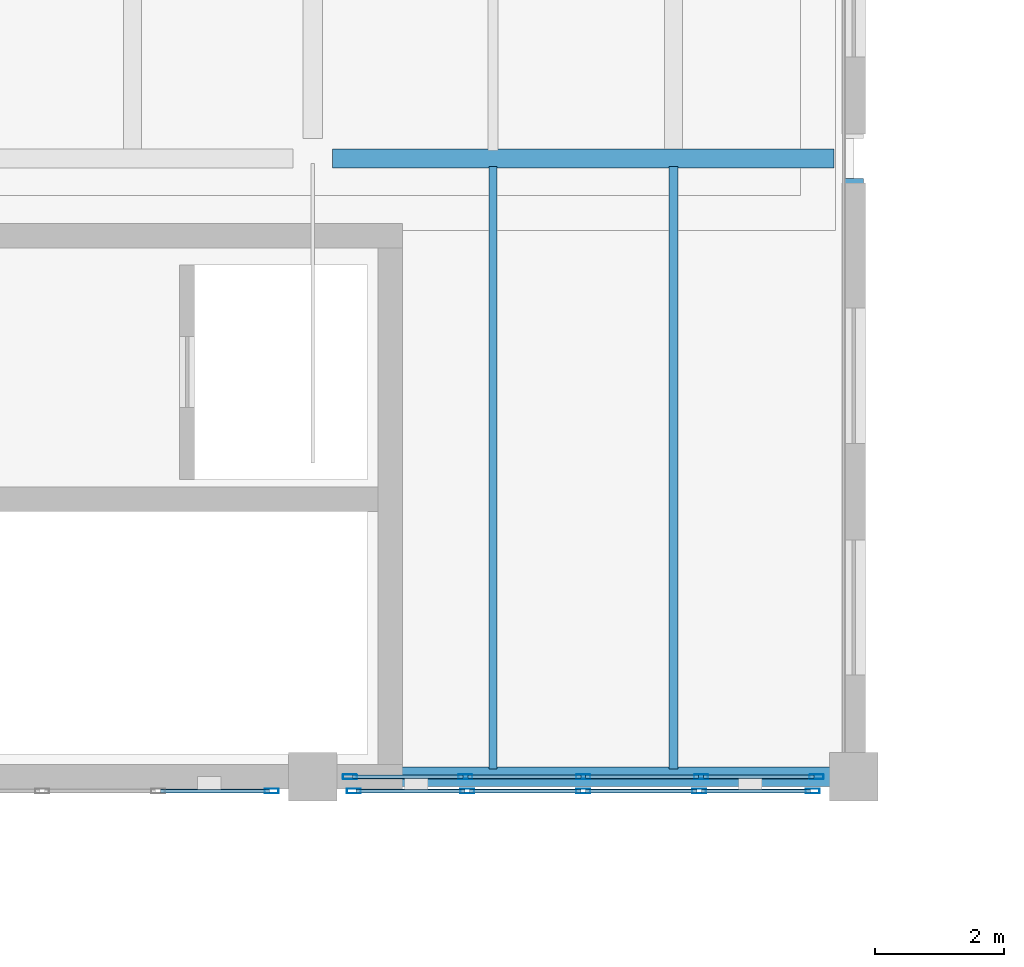
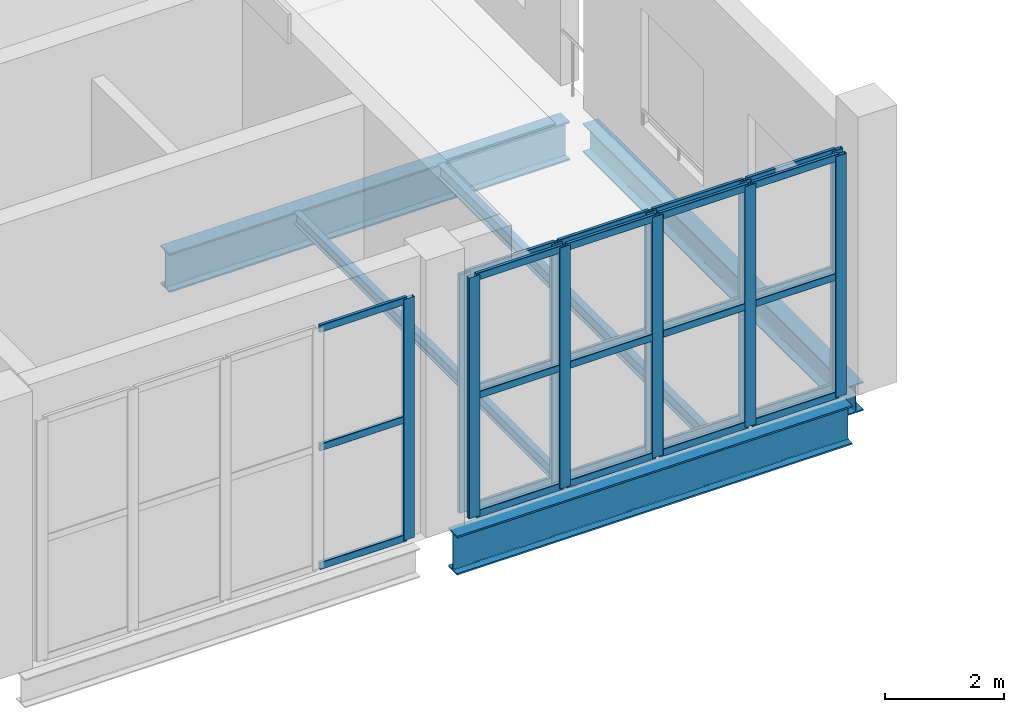
# One storey, part 16 of 49: 38 members, 5 beams, 3 elements without a shape of their own.
"""IFC4 building model written with IfcOpenShell, lengths in metres."""

import ifcopenshell
import ifcopenshell.guid

model = None  # the IFC model being written
_history = None  # IfcOwnerHistory: only IFC2X3 demands one
_inside = {}  # id of a spatial element -> (the spatial element, [elements in it])
_under = {}  # id of a project, library or spatial element -> (it, [spatial elements below it])
_declared = {}  # id of a project -> (the project, [libraries it declares])
_typed = {}  # id of a type object -> (the type object, [elements of that type])
_made_of = {}  # id of a material, layer set ... -> (it, [elements and type objects made of it])


def new_model(schema):
    """Start an empty IFC model of exactly this schema.

    Asked for "IFC4X3", IfcOpenShell would pick the latest addendum, in which some entities
    have other attributes; the version numbers below select the first issue.
    IFC2X3 requires an IfcOwnerHistory on every rooted entity: one is made here for all.
    """
    global model, _history
    if schema == "IFC4X3":
        model = ifcopenshell.file(schema_version=(4, 3, 0, 0))
    else:
        model = ifcopenshell.file(schema=schema)
    _inside.clear()
    _under.clear()
    _declared.clear()
    _typed.clear()
    _made_of.clear()
    _history = None
    if model.schema == "IFC2X3":
        org = make("IfcOrganization", Name="unknown")
        user = make(
            "IfcPersonAndOrganization",
            ThePerson=make("IfcPerson", FamilyName="unknown"),
            TheOrganization=org,
        )
        app = make(
            "IfcApplication",
            ApplicationDeveloper=org,
            Version="unknown",
            ApplicationFullName="unknown",
            ApplicationIdentifier="unknown",
        )
        _history = make(
            "IfcOwnerHistory",
            OwningUser=user,
            OwningApplication=app,
            ChangeAction="ADDED",
            CreationDate=0,
        )
    return model


def make(cls, **values):
    """One entity of the class cls with the attributes given. An attribute that is None is left unset."""
    return model.create_entity(
        cls, **{name: value for name, value in values.items() if value is not None}
    )


def rooted(cls, **values):
    """An entity with a GlobalId (a new one), such as an element, a storey or a relation."""
    return make(cls, GlobalId=ifcopenshell.guid.new(), OwnerHistory=_history, **values)


def si_unit(unit_type, name, prefix=None):
    """IfcSIUnit, for example si_unit("LENGTHUNIT", "METRE", prefix="MILLI")."""
    return make("IfcSIUnit", UnitType=unit_type, Prefix=prefix, Name=name)


def assignment(units):
    """IfcUnitAssignment: the units of a project."""
    return None if units is None else make("IfcUnitAssignment", Units=units)


def point(xyz):
    """IfcCartesianPoint."""
    return None if xyz is None else make("IfcCartesianPoint", Coordinates=xyz)


def direction(xyz):
    """IfcDirection."""
    return None if xyz is None else make("IfcDirection", DirectionRatios=xyz)


def frame(location, z_axis=None, x_axis=None):
    """IfcAxis2Placement3D, a coordinate frame: its origin and axes. An axis left out is left unset."""
    return make(
        "IfcAxis2Placement3D",
        Location=point(location),
        Axis=direction(z_axis),
        RefDirection=direction(x_axis),
    )


def frame_2d(location, x_axis=None):
    """IfcAxis2Placement2D, a coordinate frame in the plane: its origin and x axis."""
    return make(
        "IfcAxis2Placement2D", Location=point(location), RefDirection=direction(x_axis)
    )


def origin():
    """The frame at (0, 0, 0) with its axes left unset."""
    return frame((0.0, 0.0, 0.0))


def origin_2d():
    """The frame at (0, 0) in the plane with its x axis left unset."""
    return frame_2d((0.0, 0.0))


def place(relative_to, where):
    """IfcLocalPlacement: puts the frame where relative to a parent placement (None: the world)."""
    return make(
        "IfcLocalPlacement", PlacementRelTo=relative_to, RelativePlacement=where
    )


def context(
    kind, dimensions, precision=None, world=None, true_north=None, identifier=None
):
    """IfcGeometricRepresentationContext, for example the 3D "Model" context."""
    return make(
        "IfcGeometricRepresentationContext",
        ContextIdentifier=identifier,
        ContextType=kind,
        CoordinateSpaceDimension=dimensions,
        Precision=precision,
        WorldCoordinateSystem=world,
        TrueNorth=true_north,
    )


def subcontext(parent, identifier, kind, view, scale=None):
    """IfcGeometricRepresentationSubContext, for example "Body" below "Model"."""
    return make(
        "IfcGeometricRepresentationSubContext",
        ContextIdentifier=identifier,
        ContextType=kind,
        ParentContext=parent,
        TargetScale=scale,
        TargetView=view,
    )


def project(units=None, contexts=None):
    """IfcProject with its units and contexts."""
    return rooted(
        "IfcProject",
        Name="project",
        RepresentationContexts=contexts,
        UnitsInContext=assignment(units),
    )


def spatial(cls, under=None, at=None, **own):
    """A site, building, storey or space (cls), placed at a placement, below another one or the project."""
    s = rooted(cls, ObjectPlacement=at, **own)
    if under is not None:
        _under.setdefault(under.id(), (under, []))[1].append(s)
    return s


def profile(cls, at=None, kind="AREA", **sizes):
    """A parametric profile (cls). Its sizes go by their IFC names, for example OverallWidth=200.0."""
    return make(cls, ProfileType=kind, Position=at, **sizes)


def hollow_rectangle(**sizes):
    """IfcRectangleHollowProfileDef."""
    return profile("IfcRectangleHollowProfileDef", **sizes)


def i_section(**sizes):
    """IfcIShapeProfileDef."""
    return profile("IfcIShapeProfileDef", **sizes)


def extrude(swept, where, along, depth):
    """IfcExtrudedAreaSolid: the profile swept, set in the frame where, extruded along a direction by depth."""
    return make(
        "IfcExtrudedAreaSolid",
        SweptArea=swept,
        Position=where,
        ExtrudedDirection=direction(along),
        Depth=depth,
    )


def shape(context_of_items, identifier, shape_type, items):
    """IfcShapeRepresentation: the items that make up one representation, for example the "Body"."""
    return make(
        "IfcShapeRepresentation",
        ContextOfItems=context_of_items,
        RepresentationIdentifier=identifier,
        RepresentationType=shape_type,
        Items=items,
    )


def material(Name=None, Category=None):
    """IfcMaterial."""
    return make("IfcMaterial", Name=Name, Category=Category)


def layer(
    of_material, thickness, ventilated=None, Name=None, Category=None, Priority=None
):
    """IfcMaterialLayer: one layer of a wall or slab, of a material (None: an air gap)."""
    return make(
        "IfcMaterialLayer",
        Material=of_material,
        LayerThickness=thickness,
        IsVentilated=ventilated,
        Name=Name,
        Category=Category,
        Priority=Priority,
    )


def layer_set(layers, Name=None):
    """IfcMaterialLayerSet."""
    return make("IfcMaterialLayerSet", MaterialLayers=layers, LayerSetName=Name)


def material_profile(
    of_material, cross_section, Name=None, Category=None, Priority=None
):
    """IfcMaterialProfile: a cross section and its material."""
    return make(
        "IfcMaterialProfile",
        Name=Name,
        Material=of_material,
        Profile=cross_section,
        Priority=Priority,
        Category=Category,
    )


def profile_set(profiles, Name=None, composite=None):
    """IfcMaterialProfileSet."""
    return make(
        "IfcMaterialProfileSet",
        Name=Name,
        MaterialProfiles=profiles,
        CompositeProfile=composite,
    )


def made_of(thing, what):
    """Note that an element or type object is made of a material, layer set ...; save() writes the relation."""
    if what is not None:
        _made_of.setdefault(what.id(), (what, []))[1].append(thing)
    return thing


def type_object(cls, material=None, **own):
    """A type object (cls), such as IfcWallType, which elements share."""
    return made_of(rooted(cls, **own), material)


def element(
    cls,
    number,
    at=None,
    inside=None,
    cuts=None,
    type_object=None,
    material=None,
    context=None,
    identifier="Body",
    shape_type=None,
    held_by="IfcProductDefinitionShape",
    body=None,
    shapes=None,
    **own,
):
    """One element of the class cls, such as IfcWall. Its Tag is "e" and its number.

    at: its placement. inside: the storey or other place that contains it. cuts: it is an
    opening in that element (IfcRelVoidsElement). A single representation is given by context,
    identifier, shape_type and body (its items); several are given by shapes. held_by: the class
    of the entity that holds the representations. save() writes the other relations.
    """
    e = rooted(cls, Tag="e%d" % number, ObjectPlacement=at, **own)
    if body is not None:
        shapes = [shape(context, identifier, shape_type, body)]
    if shapes is not None:
        e.Representation = make(held_by, Representations=shapes)
    if inside is not None:
        _inside.setdefault(inside.id(), (inside, []))[1].append(e)
    if cuts is not None:
        rooted(
            "IfcRelVoidsElement", RelatingBuildingElement=cuts, RelatedOpeningElement=e
        )
    if type_object is not None:
        _typed.setdefault(type_object.id(), (type_object, []))[1].append(e)
    return made_of(e, material)


def aggregate(whole, parts):
    """IfcRelAggregates: a whole, such as a stair, and the parts it consists of."""
    return rooted("IfcRelAggregates", RelatingObject=whole, RelatedObjects=parts)


def save(model, path):
    """Write the relations noted so far, then the file.

    IfcRelAggregates (storeys below a building ...), IfcRelContainedInSpatialStructure (elements
    in a storey), IfcRelDefinesByType, IfcRelAssociatesMaterial and IfcRelDeclares: one each for
    every whole, place, type object, material and project.
    """
    for whole, parts in _under.values():
        aggregate(whole, parts)
    for where, things in _inside.values():
        rooted(
            "IfcRelContainedInSpatialStructure",
            RelatedElements=things,
            RelatingStructure=where,
        )
    for kind, things in _typed.values():
        rooted("IfcRelDefinesByType", RelatedObjects=things, RelatingType=kind)
    for what, things in _made_of.values():
        rooted("IfcRelAssociatesMaterial", RelatedObjects=things, RelatingMaterial=what)
    for by, libraries in _declared.values():
        rooted("IfcRelDeclares", RelatingContext=by, RelatedDefinitions=libraries)
    model.write(path)


model = new_model("IFC4")

# Units and contexts
model_context = context("Model", 3, precision=1e-05, world=origin(), true_north=direction((0.0, 1.0)))
body_context = subcontext(model_context, "Body", "Model", "MODEL_VIEW")
ifc_project = project(units=[si_unit("LENGTHUNIT", "METRE"), si_unit("AREAUNIT", "SQUARE_METRE"), si_unit("VOLUMEUNIT", "CUBIC_METRE"), si_unit("PLANEANGLEUNIT", "RADIAN"), si_unit("MASSUNIT", "GRAM", prefix="KILO")], contexts=[model_context])

# Site, building, storey
site_placement = place(None, origin())
site = spatial("IfcSite", under=ifc_project, at=site_placement, CompositionType="ELEMENT")
building_placement = place(site_placement, origin())
building = spatial("IfcBuilding", under=site, at=building_placement, Name="Zulmaris Art Gallery", CompositionType="ELEMENT")
storey_placement = place(building_placement, frame((0.0, 0.0, 20.699951171875)))
storey = spatial("IfcBuildingStorey", under=building, at=storey_placement, Name="L04", CompositionType="ELEMENT", Elevation=20.699951171875)

# Beams
ifc_material_1 = material(Name="Steel S355J2", Category="steel")
ifc_material_profile_1 = material_profile(ifc_material_1, i_section(OverallWidth=0.300048828125, OverallDepth=0.590087890625, WebThickness=0.012939453125, FlangeThickness=0.02490234375, FilletRadius=0.027099609375, at=origin_2d()), Name="HEA 600")
ifc_profile_set_1 = profile_set([ifc_material_profile_1], Name="Steel S355J2")
beam_type_1 = type_object("IfcBeamType", Name="BEAM-BM12", PredefinedType="BEAM", material=ifc_profile_set_1)
beam_1_placement = place(storey_placement, frame((82.800048828125, 21.9599609375, -0.655029296875), z_axis=(0.0, 1.0, 0.0), x_axis=(-1.0, 0.0, 0.0)))
element("IfcBeam", 1, at=beam_1_placement, inside=storey, type_object=beam_type_1, Name="L04 Y-girder (x=82.8, 21.6..31.2)", PredefinedType="BEAM", context=body_context, shape_type="SweptSolid", body=[
    extrude(i_section(OverallWidth=0.300048828125, OverallDepth=0.590087890625, WebThickness=0.012939453125, FlangeThickness=0.02490234375, FilletRadius=0.027099609375, at=origin_2d()), origin(), (0.0, 0.0, 1.0), 8.929931640625),
])
ifc_material_profile_2 = material_profile(ifc_material_1, i_section(OverallWidth=0.300048828125, OverallDepth=0.800048828125, WebThickness=0.017578125, FlangeThickness=0.032958984375, FilletRadius=0.030029296875, at=origin_2d()), Name="HEB 800")
ifc_profile_set_2 = profile_set([ifc_material_profile_2], Name="Steel S355J2")
beam_type_2 = type_object("IfcBeamType", Name="BEAM-BM17", PredefinedType="BEAM", material=ifc_profile_set_2)
beam_2_placement = place(storey_placement, frame((74.760009765625, 21.60009765625, -0.760009765625), z_axis=(1.0, 0.0, 0.0), x_axis=(0.0, 1.0, 0.0)))
element("IfcBeam", 2, at=beam_2_placement, inside=storey, type_object=beam_type_2, Name="L04 X-girder (74.4..82.8, y=21.6)", PredefinedType="BEAM", context=body_context, shape_type="SweptSolid", body=[
    extrude(i_section(OverallWidth=0.300048828125, OverallDepth=0.800048828125, WebThickness=0.017578125, FlangeThickness=0.032958984375, FilletRadius=0.030029296875, at=origin_2d()), origin(), (0.0, 0.0, 1.0), 7.679931640625),
])
beam_3_placement = place(storey_placement, frame((74.7099609375, 31.199951171875, -0.760009765625), z_axis=(1.0, 0.0, 0.0), x_axis=(0.0, 1.0, 0.0)))
element("IfcBeam", 3, at=beam_3_placement, inside=storey, type_object=beam_type_2, Name="L04 X-girder (74.4..82.8, y=31.2)", PredefinedType="BEAM", context=body_context, shape_type="SweptSolid", body=[
    extrude(i_section(OverallWidth=0.300048828125, OverallDepth=0.800048828125, WebThickness=0.017578125, FlangeThickness=0.032958984375, FilletRadius=0.030029296875, at=origin_2d()), origin(), (0.0, 0.0, 1.0), 7.780029296875),
])
ifc_material_profile_3 = material_profile(ifc_material_1, i_section(OverallWidth=0.1201171875, OverallDepth=0.239990234375, WebThickness=0.006103515625, FlangeThickness=0.009765625, FilletRadius=0.014892578125, at=origin_2d()), Name="IPE 240")
ifc_profile_set_3 = profile_set([ifc_material_profile_3], Name="Steel S355J2")
beam_type_3 = type_object("IfcBeamType", Name="BEAM-JS01", PredefinedType="JOIST", material=ifc_profile_set_3)
beam_4_placement = place(storey_placement, frame((77.199951171875, 21.72509765625, -0.47998046875), z_axis=(0.0, 1.0, 0.0), x_axis=(-1.0, 0.0, 0.0)))
element("IfcBeam", 4, at=beam_4_placement, inside=storey, type_object=beam_type_3, Name="L04 secondary joist at x=77.2", PredefinedType="JOIST", context=body_context, shape_type="SweptSolid", body=[
    extrude(i_section(OverallWidth=0.1201171875, OverallDepth=0.239990234375, WebThickness=0.006103515625, FlangeThickness=0.009765625, FilletRadius=0.014892578125, at=origin_2d()), origin(), (0.0, 0.0, 1.0), 9.349853515625),
])
ifc_material_profile_4 = material_profile(ifc_material_1, i_section(OverallWidth=0.135009765625, OverallDepth=0.27001953125, WebThickness=0.006591796875, FlangeThickness=0.01025390625, FilletRadius=0.014892578125, at=origin_2d()), Name="IPE 270")
ifc_profile_set_4 = profile_set([ifc_material_profile_4], Name="Steel S355J2")
beam_type_4 = type_object("IfcBeamType", Name="BEAM-JS02", PredefinedType="JOIST", material=ifc_profile_set_4)
beam_5_placement = place(storey_placement, frame((80.0, 21.72509765625, -0.494873046875), z_axis=(0.0, 1.0, 0.0), x_axis=(-1.0, 0.0, 0.0)))
element("IfcBeam", 5, at=beam_5_placement, inside=storey, type_object=beam_type_4, Name="L04 secondary joist at x=80.0", PredefinedType="JOIST", context=body_context, shape_type="SweptSolid", body=[
    extrude(i_section(OverallWidth=0.135009765625, OverallDepth=0.27001953125, WebThickness=0.006591796875, FlangeThickness=0.01025390625, FilletRadius=0.014892578125, at=origin_2d()), origin(), (0.0, 0.0, 1.0), 9.349853515625),
])

# Curtain wall, members
ifc_material_2 = material(Name="Unitised Low-E Gallery Curtain Wall", Category="aluminium")
ifc_layer_1 = layer(ifc_material_2, 0.179931640625)
ifc_layer_set_1 = layer_set([ifc_layer_1], Name="Unitised Low-E Gallery Curtain Wall")
curtain_wall_type_1 = type_object("IfcCurtainWallType", Name="CW-CW01", PredefinedType="NOTDEFINED", material=ifc_layer_set_1)
curtain_wall_1_placement = place(storey_placement, origin())
curtain_wall_1 = element("IfcCurtainWall", 6, at=curtain_wall_1_placement, inside=storey, type_object=curtain_wall_type_1, Name="L04 curtain wall 33", PredefinedType="NOTDEFINED")
ifc_material_3 = material(Name="Anodised Bronze Aluminium", Category="aluminium")
ifc_material_profile_5 = material_profile(ifc_material_3, hollow_rectangle(XDim=0.074951171875, YDim=0.219970703125, WallThickness=0.0048828125, InnerFilletRadius=0.007568359375, OuterFilletRadius=0.012451171875, at=origin_2d()), Name="ALU 75x220x5")
ifc_profile_set_5 = profile_set([ifc_material_profile_5], Name="Anodised Bronze Aluminium")
member_type_1 = type_object("IfcMemberType", Name="CWMUL-02", PredefinedType="MULLION", material=ifc_profile_set_5)
member_1_placement = place(storey_placement, frame((74.9775390625, 21.60009765625, 0.0), z_axis=(0.0, 0.0, 1.0), x_axis=(0.0, 1.0, 0.0)))
member_1 = element("IfcMember", 7, at=member_1_placement, type_object=member_type_1, Name="CW01 mullion 1", PredefinedType="MULLION", context=body_context, shape_type="SweptSolid", body=[
    extrude(hollow_rectangle(XDim=0.074951171875, YDim=0.219970703125, WallThickness=0.0048828125, InnerFilletRadius=0.007568359375, OuterFilletRadius=0.012451171875, at=origin_2d()), origin(), (0.0, 0.0, 1.0), 4.900146484375),
])
member_2_placement = place(storey_placement, frame((76.77001953125, 21.60009765625, 0.0), z_axis=(0.0, 0.0, 1.0), x_axis=(0.0, 1.0, 0.0)))
member_2 = element("IfcMember", 8, at=member_2_placement, type_object=member_type_1, Name="CW01 mullion 2", PredefinedType="MULLION", context=body_context, shape_type="SweptSolid", body=[
    extrude(hollow_rectangle(XDim=0.074951171875, YDim=0.219970703125, WallThickness=0.0048828125, InnerFilletRadius=0.007568359375, OuterFilletRadius=0.012451171875, at=origin_2d()), origin(), (0.0, 0.0, 1.0), 4.900146484375),
])
member_3_placement = place(storey_placement, frame((78.60009765625, 21.60009765625, 0.0), z_axis=(0.0, 0.0, 1.0), x_axis=(0.0, 1.0, 0.0)))
member_3 = element("IfcMember", 9, at=member_3_placement, type_object=member_type_1, Name="CW01 mullion 3", PredefinedType="MULLION", context=body_context, shape_type="SweptSolid", body=[
    extrude(hollow_rectangle(XDim=0.074951171875, YDim=0.219970703125, WallThickness=0.0048828125, InnerFilletRadius=0.007568359375, OuterFilletRadius=0.012451171875, at=origin_2d()), origin(), (0.0, 0.0, 1.0), 4.900146484375),
])
member_4_placement = place(storey_placement, frame((80.429931640625, 21.60009765625, 0.0), z_axis=(0.0, 0.0, 1.0), x_axis=(0.0, 1.0, 0.0)))
member_4 = element("IfcMember", 10, at=member_4_placement, type_object=member_type_1, Name="CW01 mullion 4", PredefinedType="MULLION", context=body_context, shape_type="SweptSolid", body=[
    extrude(hollow_rectangle(XDim=0.074951171875, YDim=0.219970703125, WallThickness=0.0048828125, InnerFilletRadius=0.007568359375, OuterFilletRadius=0.012451171875, at=origin_2d()), origin(), (0.0, 0.0, 1.0), 4.900146484375),
])
member_5_placement = place(storey_placement, frame((82.222412109375, 21.60009765625, 0.0), z_axis=(0.0, 0.0, 1.0), x_axis=(0.0, 1.0, 0.0)))
member_5 = element("IfcMember", 11, at=member_5_placement, type_object=member_type_1, Name="CW01 mullion 5", PredefinedType="MULLION", context=body_context, shape_type="SweptSolid", body=[
    extrude(hollow_rectangle(XDim=0.074951171875, YDim=0.219970703125, WallThickness=0.0048828125, InnerFilletRadius=0.007568359375, OuterFilletRadius=0.012451171875, at=origin_2d()), origin(), (0.0, 0.0, 1.0), 4.900146484375),
])

# Curtain wall, member
ifc_material_4 = material(Name="Perforated Bronze Art Deco Mashrabiya Screen", Category="aluminium")
ifc_layer_2 = layer(ifc_material_4, 0.179931640625)
ifc_layer_set_2 = layer_set([ifc_layer_2], Name="Perforated Bronze Art Deco Mashrabiya Screen")
curtain_wall_type_2 = type_object("IfcCurtainWallType", Name="CW-CW06", PredefinedType="USERDEFINED", material=ifc_layer_set_2)
curtain_wall_2_placement = place(storey_placement, origin())
curtain_wall_2 = element("IfcCurtainWall", 12, at=curtain_wall_2_placement, inside=storey, type_object=curtain_wall_type_2, Name="L04 Mashrabiya screen 183", ObjectType="MASHRABIYA SCREEN", PredefinedType="USERDEFINED")
member_6_placement = place(storey_placement, frame((73.762451171875, 21.3798828125, 0.0), z_axis=(0.0, 0.0, 1.0), x_axis=(0.0, 1.0, 0.0)))
member_6 = element("IfcMember", 13, at=member_6_placement, type_object=member_type_1, Name="CW06 mullion 5", PredefinedType="MULLION", context=body_context, shape_type="SweptSolid", body=[
    extrude(hollow_rectangle(XDim=0.074951171875, YDim=0.219970703125, WallThickness=0.0048828125, InnerFilletRadius=0.007568359375, OuterFilletRadius=0.012451171875, at=origin_2d()), origin(), (0.0, 0.0, 1.0), 4.949951171875),
])

# Curtain wall, members
curtain_wall_3_placement = place(storey_placement, origin())
curtain_wall_3 = element("IfcCurtainWall", 14, at=curtain_wall_3_placement, inside=storey, type_object=curtain_wall_type_2, Name="L04 Mashrabiya screen 184", ObjectType="MASHRABIYA SCREEN", PredefinedType="USERDEFINED")
member_7_placement = place(storey_placement, frame((75.03759765625, 21.3798828125, 0.0), z_axis=(0.0, 0.0, 1.0), x_axis=(0.0, 1.0, 0.0)))
member_7 = element("IfcMember", 15, at=member_7_placement, type_object=member_type_1, Name="CW06 mullion 1", PredefinedType="MULLION", context=body_context, shape_type="SweptSolid", body=[
    extrude(hollow_rectangle(XDim=0.074951171875, YDim=0.219970703125, WallThickness=0.0048828125, InnerFilletRadius=0.007568359375, OuterFilletRadius=0.012451171875, at=origin_2d()), origin(), (0.0, 0.0, 1.0), 4.949951171875),
])
member_8_placement = place(storey_placement, frame((76.800048828125, 21.3798828125, 0.0), z_axis=(0.0, 0.0, 1.0), x_axis=(0.0, 1.0, 0.0)))
member_8 = element("IfcMember", 16, at=member_8_placement, type_object=member_type_1, Name="CW06 mullion 2", PredefinedType="MULLION", context=body_context, shape_type="SweptSolid", body=[
    extrude(hollow_rectangle(XDim=0.074951171875, YDim=0.219970703125, WallThickness=0.0048828125, InnerFilletRadius=0.007568359375, OuterFilletRadius=0.012451171875, at=origin_2d()), origin(), (0.0, 0.0, 1.0), 4.949951171875),
])
member_9_placement = place(storey_placement, frame((78.60009765625, 21.3798828125, 0.0), z_axis=(0.0, 0.0, 1.0), x_axis=(0.0, 1.0, 0.0)))
member_9 = element("IfcMember", 17, at=member_9_placement, type_object=member_type_1, Name="CW06 mullion 3", PredefinedType="MULLION", context=body_context, shape_type="SweptSolid", body=[
    extrude(hollow_rectangle(XDim=0.074951171875, YDim=0.219970703125, WallThickness=0.0048828125, InnerFilletRadius=0.007568359375, OuterFilletRadius=0.012451171875, at=origin_2d()), origin(), (0.0, 0.0, 1.0), 4.949951171875),
])
member_10_placement = place(storey_placement, frame((80.39990234375, 21.3798828125, 0.0), z_axis=(0.0, 0.0, 1.0), x_axis=(0.0, 1.0, 0.0)))
member_10 = element("IfcMember", 18, at=member_10_placement, type_object=member_type_1, Name="CW06 mullion 4", PredefinedType="MULLION", context=body_context, shape_type="SweptSolid", body=[
    extrude(hollow_rectangle(XDim=0.074951171875, YDim=0.219970703125, WallThickness=0.0048828125, InnerFilletRadius=0.007568359375, OuterFilletRadius=0.012451171875, at=origin_2d()), origin(), (0.0, 0.0, 1.0), 4.949951171875),
])
member_11_placement = place(storey_placement, frame((82.16259765625, 21.3798828125, 0.0), z_axis=(0.0, 0.0, 1.0), x_axis=(0.0, 1.0, 0.0)))
member_11 = element("IfcMember", 19, at=member_11_placement, type_object=member_type_1, Name="CW06 mullion 5", PredefinedType="MULLION", context=body_context, shape_type="SweptSolid", body=[
    extrude(hollow_rectangle(XDim=0.074951171875, YDim=0.219970703125, WallThickness=0.0048828125, InnerFilletRadius=0.007568359375, OuterFilletRadius=0.012451171875, at=origin_2d()), origin(), (0.0, 0.0, 1.0), 4.949951171875),
])

# Member
ifc_material_profile_6 = material_profile(ifc_material_3, hollow_rectangle(XDim=0.06494140625, YDim=0.14990234375, WallThickness=0.00390625, InnerFilletRadius=0.006103515625, OuterFilletRadius=0.010009765625, at=origin_2d()), Name="ALU 65x150x4")
ifc_profile_set_6 = profile_set([ifc_material_profile_6], Name="Anodised Bronze Aluminium")
member_type_2 = type_object("IfcMemberType", Name="CWTRN-01", PredefinedType="USERDEFINED", material=ifc_profile_set_6)
member_12_placement = place(storey_placement, frame((75.014892578125, 21.60009765625, 0.03759765625), z_axis=(1.0, 0.0, 0.0), x_axis=(0.0, 1.0, 0.0)))
member_12 = element("IfcMember", 20, at=member_12_placement, type_object=member_type_2, Name="CW01 transom 1.1", ObjectType="TRANSOM", PredefinedType="USERDEFINED", context=body_context, shape_type="SweptSolid", body=[
    extrude(hollow_rectangle(XDim=0.06494140625, YDim=0.14990234375, WallThickness=0.00390625, InnerFilletRadius=0.006103515625, OuterFilletRadius=0.010009765625, at=origin_2d()), origin(), (0.0, 0.0, 1.0), 1.717529296875),
])

member_13_placement = place(storey_placement, frame((75.014892578125, 21.60009765625, 2.449951171875), z_axis=(1.0, 0.0, 0.0), x_axis=(0.0, 1.0, 0.0)))
member_13 = element("IfcMember", 21, at=member_13_placement, type_object=member_type_2, Name="CW01 transom 1.2", ObjectType="TRANSOM", PredefinedType="USERDEFINED", context=body_context, shape_type="SweptSolid", body=[
    extrude(hollow_rectangle(XDim=0.06494140625, YDim=0.14990234375, WallThickness=0.00390625, InnerFilletRadius=0.006103515625, OuterFilletRadius=0.010009765625, at=origin_2d()), origin(), (0.0, 0.0, 1.0), 1.717529296875),
])

member_14_placement = place(storey_placement, frame((75.014892578125, 21.60009765625, 4.862548828125), z_axis=(1.0, 0.0, 0.0), x_axis=(0.0, 1.0, 0.0)))
member_14 = element("IfcMember", 22, at=member_14_placement, type_object=member_type_2, Name="CW01 transom 1.3", ObjectType="TRANSOM", PredefinedType="USERDEFINED", context=body_context, shape_type="SweptSolid", body=[
    extrude(hollow_rectangle(XDim=0.06494140625, YDim=0.14990234375, WallThickness=0.00390625, InnerFilletRadius=0.006103515625, OuterFilletRadius=0.010009765625, at=origin_2d()), origin(), (0.0, 0.0, 1.0), 1.717529296875),
])

member_15_placement = place(storey_placement, frame((76.8076171875, 21.60009765625, 0.03759765625), z_axis=(1.0, 0.0, 0.0), x_axis=(0.0, 1.0, 0.0)))
member_15 = element("IfcMember", 23, at=member_15_placement, type_object=member_type_2, Name="CW01 transom 2.1", ObjectType="TRANSOM", PredefinedType="USERDEFINED", context=body_context, shape_type="SweptSolid", body=[
    extrude(hollow_rectangle(XDim=0.06494140625, YDim=0.14990234375, WallThickness=0.00390625, InnerFilletRadius=0.006103515625, OuterFilletRadius=0.010009765625, at=origin_2d()), origin(), (0.0, 0.0, 1.0), 1.7548828125),
])

member_16_placement = place(storey_placement, frame((76.8076171875, 21.60009765625, 2.449951171875), z_axis=(1.0, 0.0, 0.0), x_axis=(0.0, 1.0, 0.0)))
member_16 = element("IfcMember", 24, at=member_16_placement, type_object=member_type_2, Name="CW01 transom 2.2", ObjectType="TRANSOM", PredefinedType="USERDEFINED", context=body_context, shape_type="SweptSolid", body=[
    extrude(hollow_rectangle(XDim=0.06494140625, YDim=0.14990234375, WallThickness=0.00390625, InnerFilletRadius=0.006103515625, OuterFilletRadius=0.010009765625, at=origin_2d()), origin(), (0.0, 0.0, 1.0), 1.7548828125),
])

member_17_placement = place(storey_placement, frame((76.8076171875, 21.60009765625, 4.862548828125), z_axis=(1.0, 0.0, 0.0), x_axis=(0.0, 1.0, 0.0)))
member_17 = element("IfcMember", 25, at=member_17_placement, type_object=member_type_2, Name="CW01 transom 2.3", ObjectType="TRANSOM", PredefinedType="USERDEFINED", context=body_context, shape_type="SweptSolid", body=[
    extrude(hollow_rectangle(XDim=0.06494140625, YDim=0.14990234375, WallThickness=0.00390625, InnerFilletRadius=0.006103515625, OuterFilletRadius=0.010009765625, at=origin_2d()), origin(), (0.0, 0.0, 1.0), 1.7548828125),
])

member_18_placement = place(storey_placement, frame((78.637451171875, 21.60009765625, 0.03759765625), z_axis=(1.0, 0.0, 0.0), x_axis=(0.0, 1.0, 0.0)))
member_18 = element("IfcMember", 26, at=member_18_placement, type_object=member_type_2, Name="CW01 transom 3.1", ObjectType="TRANSOM", PredefinedType="USERDEFINED", context=body_context, shape_type="SweptSolid", body=[
    extrude(hollow_rectangle(XDim=0.06494140625, YDim=0.14990234375, WallThickness=0.00390625, InnerFilletRadius=0.006103515625, OuterFilletRadius=0.010009765625, at=origin_2d()), origin(), (0.0, 0.0, 1.0), 1.755126953125),
])

member_19_placement = place(storey_placement, frame((78.637451171875, 21.60009765625, 2.449951171875), z_axis=(1.0, 0.0, 0.0), x_axis=(0.0, 1.0, 0.0)))
member_19 = element("IfcMember", 27, at=member_19_placement, type_object=member_type_2, Name="CW01 transom 3.2", ObjectType="TRANSOM", PredefinedType="USERDEFINED", context=body_context, shape_type="SweptSolid", body=[
    extrude(hollow_rectangle(XDim=0.06494140625, YDim=0.14990234375, WallThickness=0.00390625, InnerFilletRadius=0.006103515625, OuterFilletRadius=0.010009765625, at=origin_2d()), origin(), (0.0, 0.0, 1.0), 1.755126953125),
])

member_20_placement = place(storey_placement, frame((78.637451171875, 21.60009765625, 4.862548828125), z_axis=(1.0, 0.0, 0.0), x_axis=(0.0, 1.0, 0.0)))
member_20 = element("IfcMember", 28, at=member_20_placement, type_object=member_type_2, Name="CW01 transom 3.3", ObjectType="TRANSOM", PredefinedType="USERDEFINED", context=body_context, shape_type="SweptSolid", body=[
    extrude(hollow_rectangle(XDim=0.06494140625, YDim=0.14990234375, WallThickness=0.00390625, InnerFilletRadius=0.006103515625, OuterFilletRadius=0.010009765625, at=origin_2d()), origin(), (0.0, 0.0, 1.0), 1.755126953125),
])

member_21_placement = place(storey_placement, frame((80.467529296875, 21.60009765625, 0.03759765625), z_axis=(1.0, 0.0, 0.0), x_axis=(0.0, 1.0, 0.0)))
member_21 = element("IfcMember", 29, at=member_21_placement, type_object=member_type_2, Name="CW01 transom 4.1", ObjectType="TRANSOM", PredefinedType="USERDEFINED", context=body_context, shape_type="SweptSolid", body=[
    extrude(hollow_rectangle(XDim=0.06494140625, YDim=0.14990234375, WallThickness=0.00390625, InnerFilletRadius=0.006103515625, OuterFilletRadius=0.010009765625, at=origin_2d()), origin(), (0.0, 0.0, 1.0), 1.717529296875),
])

member_22_placement = place(storey_placement, frame((80.467529296875, 21.60009765625, 2.449951171875), z_axis=(1.0, 0.0, 0.0), x_axis=(0.0, 1.0, 0.0)))
member_22 = element("IfcMember", 30, at=member_22_placement, type_object=member_type_2, Name="CW01 transom 4.2", ObjectType="TRANSOM", PredefinedType="USERDEFINED", context=body_context, shape_type="SweptSolid", body=[
    extrude(hollow_rectangle(XDim=0.06494140625, YDim=0.14990234375, WallThickness=0.00390625, InnerFilletRadius=0.006103515625, OuterFilletRadius=0.010009765625, at=origin_2d()), origin(), (0.0, 0.0, 1.0), 1.717529296875),
])

member_23_placement = place(storey_placement, frame((80.467529296875, 21.60009765625, 4.862548828125), z_axis=(1.0, 0.0, 0.0), x_axis=(0.0, 1.0, 0.0)))
member_23 = element("IfcMember", 31, at=member_23_placement, type_object=member_type_2, Name="CW01 transom 4.3", ObjectType="TRANSOM", PredefinedType="USERDEFINED", context=body_context, shape_type="SweptSolid", body=[
    extrude(hollow_rectangle(XDim=0.06494140625, YDim=0.14990234375, WallThickness=0.00390625, InnerFilletRadius=0.006103515625, OuterFilletRadius=0.010009765625, at=origin_2d()), origin(), (0.0, 0.0, 1.0), 1.717529296875),
])

aggregate(curtain_wall_1, [member_1, member_2, member_3, member_4, member_5, member_12, member_13, member_14, member_15, member_16, member_17, member_18, member_19, member_20, member_21, member_22, member_23])

member_24_placement = place(storey_placement, frame((72.03759765625, 21.3798828125, 0.03759765625), z_axis=(1.0, 0.0, 0.0), x_axis=(0.0, 1.0, 0.0)))
member_24 = element("IfcMember", 32, at=member_24_placement, type_object=member_type_2, Name="CW06 transom 4.1", ObjectType="TRANSOM", PredefinedType="USERDEFINED", context=body_context, shape_type="SweptSolid", body=[
    extrude(hollow_rectangle(XDim=0.06494140625, YDim=0.14990234375, WallThickness=0.00390625, InnerFilletRadius=0.006103515625, OuterFilletRadius=0.010009765625, at=origin_2d()), origin(), (0.0, 0.0, 1.0), 1.6875),
])

member_25_placement = place(storey_placement, frame((72.03759765625, 21.3798828125, 2.47509765625), z_axis=(1.0, 0.0, 0.0), x_axis=(0.0, 1.0, 0.0)))
member_25 = element("IfcMember", 33, at=member_25_placement, type_object=member_type_2, Name="CW06 transom 4.2", ObjectType="TRANSOM", PredefinedType="USERDEFINED", context=body_context, shape_type="SweptSolid", body=[
    extrude(hollow_rectangle(XDim=0.06494140625, YDim=0.14990234375, WallThickness=0.00390625, InnerFilletRadius=0.006103515625, OuterFilletRadius=0.010009765625, at=origin_2d()), origin(), (0.0, 0.0, 1.0), 1.6875),
])

member_26_placement = place(storey_placement, frame((72.03759765625, 21.3798828125, 4.91259765625), z_axis=(1.0, 0.0, 0.0), x_axis=(0.0, 1.0, 0.0)))
member_26 = element("IfcMember", 34, at=member_26_placement, type_object=member_type_2, Name="CW06 transom 4.3", ObjectType="TRANSOM", PredefinedType="USERDEFINED", context=body_context, shape_type="SweptSolid", body=[
    extrude(hollow_rectangle(XDim=0.06494140625, YDim=0.14990234375, WallThickness=0.00390625, InnerFilletRadius=0.006103515625, OuterFilletRadius=0.010009765625, at=origin_2d()), origin(), (0.0, 0.0, 1.0), 1.6875),
])

aggregate(curtain_wall_2, [member_6, member_24, member_25, member_26])

member_27_placement = place(storey_placement, frame((75.074951171875, 21.3798828125, 0.03759765625), z_axis=(1.0, 0.0, 0.0), x_axis=(0.0, 1.0, 0.0)))
member_27 = element("IfcMember", 35, at=member_27_placement, type_object=member_type_2, Name="CW06 transom 1.1", ObjectType="TRANSOM", PredefinedType="USERDEFINED", context=body_context, shape_type="SweptSolid", body=[
    extrude(hollow_rectangle(XDim=0.06494140625, YDim=0.14990234375, WallThickness=0.00390625, InnerFilletRadius=0.006103515625, OuterFilletRadius=0.010009765625, at=origin_2d()), origin(), (0.0, 0.0, 1.0), 1.6875),
])

member_28_placement = place(storey_placement, frame((75.074951171875, 21.3798828125, 2.47509765625), z_axis=(1.0, 0.0, 0.0), x_axis=(0.0, 1.0, 0.0)))
member_28 = element("IfcMember", 36, at=member_28_placement, type_object=member_type_2, Name="CW06 transom 1.2", ObjectType="TRANSOM", PredefinedType="USERDEFINED", context=body_context, shape_type="SweptSolid", body=[
    extrude(hollow_rectangle(XDim=0.06494140625, YDim=0.14990234375, WallThickness=0.00390625, InnerFilletRadius=0.006103515625, OuterFilletRadius=0.010009765625, at=origin_2d()), origin(), (0.0, 0.0, 1.0), 1.6875),
])

member_29_placement = place(storey_placement, frame((75.074951171875, 21.3798828125, 4.91259765625), z_axis=(1.0, 0.0, 0.0), x_axis=(0.0, 1.0, 0.0)))
member_29 = element("IfcMember", 37, at=member_29_placement, type_object=member_type_2, Name="CW06 transom 1.3", ObjectType="TRANSOM", PredefinedType="USERDEFINED", context=body_context, shape_type="SweptSolid", body=[
    extrude(hollow_rectangle(XDim=0.06494140625, YDim=0.14990234375, WallThickness=0.00390625, InnerFilletRadius=0.006103515625, OuterFilletRadius=0.010009765625, at=origin_2d()), origin(), (0.0, 0.0, 1.0), 1.6875),
])

member_30_placement = place(storey_placement, frame((76.83740234375, 21.3798828125, 0.03759765625), z_axis=(1.0, 0.0, 0.0), x_axis=(0.0, 1.0, 0.0)))
member_30 = element("IfcMember", 38, at=member_30_placement, type_object=member_type_2, Name="CW06 transom 2.1", ObjectType="TRANSOM", PredefinedType="USERDEFINED", context=body_context, shape_type="SweptSolid", body=[
    extrude(hollow_rectangle(XDim=0.06494140625, YDim=0.14990234375, WallThickness=0.00390625, InnerFilletRadius=0.006103515625, OuterFilletRadius=0.010009765625, at=origin_2d()), origin(), (0.0, 0.0, 1.0), 1.72509765625),
])

member_31_placement = place(storey_placement, frame((76.83740234375, 21.3798828125, 2.47509765625), z_axis=(1.0, 0.0, 0.0), x_axis=(0.0, 1.0, 0.0)))
member_31 = element("IfcMember", 39, at=member_31_placement, type_object=member_type_2, Name="CW06 transom 2.2", ObjectType="TRANSOM", PredefinedType="USERDEFINED", context=body_context, shape_type="SweptSolid", body=[
    extrude(hollow_rectangle(XDim=0.06494140625, YDim=0.14990234375, WallThickness=0.00390625, InnerFilletRadius=0.006103515625, OuterFilletRadius=0.010009765625, at=origin_2d()), origin(), (0.0, 0.0, 1.0), 1.72509765625),
])

member_32_placement = place(storey_placement, frame((76.83740234375, 21.3798828125, 4.91259765625), z_axis=(1.0, 0.0, 0.0), x_axis=(0.0, 1.0, 0.0)))
member_32 = element("IfcMember", 40, at=member_32_placement, type_object=member_type_2, Name="CW06 transom 2.3", ObjectType="TRANSOM", PredefinedType="USERDEFINED", context=body_context, shape_type="SweptSolid", body=[
    extrude(hollow_rectangle(XDim=0.06494140625, YDim=0.14990234375, WallThickness=0.00390625, InnerFilletRadius=0.006103515625, OuterFilletRadius=0.010009765625, at=origin_2d()), origin(), (0.0, 0.0, 1.0), 1.72509765625),
])

member_33_placement = place(storey_placement, frame((78.637451171875, 21.3798828125, 0.03759765625), z_axis=(1.0, 0.0, 0.0), x_axis=(0.0, 1.0, 0.0)))
member_33 = element("IfcMember", 41, at=member_33_placement, type_object=member_type_2, Name="CW06 transom 3.1", ObjectType="TRANSOM", PredefinedType="USERDEFINED", context=body_context, shape_type="SweptSolid", body=[
    extrude(hollow_rectangle(XDim=0.06494140625, YDim=0.14990234375, WallThickness=0.00390625, InnerFilletRadius=0.006103515625, OuterFilletRadius=0.010009765625, at=origin_2d()), origin(), (0.0, 0.0, 1.0), 1.72509765625),
])

member_34_placement = place(storey_placement, frame((78.637451171875, 21.3798828125, 2.47509765625), z_axis=(1.0, 0.0, 0.0), x_axis=(0.0, 1.0, 0.0)))
member_34 = element("IfcMember", 42, at=member_34_placement, type_object=member_type_2, Name="CW06 transom 3.2", ObjectType="TRANSOM", PredefinedType="USERDEFINED", context=body_context, shape_type="SweptSolid", body=[
    extrude(hollow_rectangle(XDim=0.06494140625, YDim=0.14990234375, WallThickness=0.00390625, InnerFilletRadius=0.006103515625, OuterFilletRadius=0.010009765625, at=origin_2d()), origin(), (0.0, 0.0, 1.0), 1.72509765625),
])

member_35_placement = place(storey_placement, frame((78.637451171875, 21.3798828125, 4.91259765625), z_axis=(1.0, 0.0, 0.0), x_axis=(0.0, 1.0, 0.0)))
member_35 = element("IfcMember", 43, at=member_35_placement, type_object=member_type_2, Name="CW06 transom 3.3", ObjectType="TRANSOM", PredefinedType="USERDEFINED", context=body_context, shape_type="SweptSolid", body=[
    extrude(hollow_rectangle(XDim=0.06494140625, YDim=0.14990234375, WallThickness=0.00390625, InnerFilletRadius=0.006103515625, OuterFilletRadius=0.010009765625, at=origin_2d()), origin(), (0.0, 0.0, 1.0), 1.72509765625),
])

member_36_placement = place(storey_placement, frame((80.4375, 21.3798828125, 0.03759765625), z_axis=(1.0, 0.0, 0.0), x_axis=(0.0, 1.0, 0.0)))
member_36 = element("IfcMember", 44, at=member_36_placement, type_object=member_type_2, Name="CW06 transom 4.1", ObjectType="TRANSOM", PredefinedType="USERDEFINED", context=body_context, shape_type="SweptSolid", body=[
    extrude(hollow_rectangle(XDim=0.06494140625, YDim=0.14990234375, WallThickness=0.00390625, InnerFilletRadius=0.006103515625, OuterFilletRadius=0.010009765625, at=origin_2d()), origin(), (0.0, 0.0, 1.0), 1.6875),
])

member_37_placement = place(storey_placement, frame((80.4375, 21.3798828125, 2.47509765625), z_axis=(1.0, 0.0, 0.0), x_axis=(0.0, 1.0, 0.0)))
member_37 = element("IfcMember", 45, at=member_37_placement, type_object=member_type_2, Name="CW06 transom 4.2", ObjectType="TRANSOM", PredefinedType="USERDEFINED", context=body_context, shape_type="SweptSolid", body=[
    extrude(hollow_rectangle(XDim=0.06494140625, YDim=0.14990234375, WallThickness=0.00390625, InnerFilletRadius=0.006103515625, OuterFilletRadius=0.010009765625, at=origin_2d()), origin(), (0.0, 0.0, 1.0), 1.6875),
])

member_38_placement = place(storey_placement, frame((80.4375, 21.3798828125, 4.91259765625), z_axis=(1.0, 0.0, 0.0), x_axis=(0.0, 1.0, 0.0)))
member_38 = element("IfcMember", 46, at=member_38_placement, type_object=member_type_2, Name="CW06 transom 4.3", ObjectType="TRANSOM", PredefinedType="USERDEFINED", context=body_context, shape_type="SweptSolid", body=[
    extrude(hollow_rectangle(XDim=0.06494140625, YDim=0.14990234375, WallThickness=0.00390625, InnerFilletRadius=0.006103515625, OuterFilletRadius=0.010009765625, at=origin_2d()), origin(), (0.0, 0.0, 1.0), 1.6875),
])

aggregate(curtain_wall_3, [member_7, member_8, member_9, member_10, member_11, member_27, member_28, member_29, member_30, member_31, member_32, member_33, member_34, member_35, member_36, member_37, member_38])

save(model, "model.ifc")
